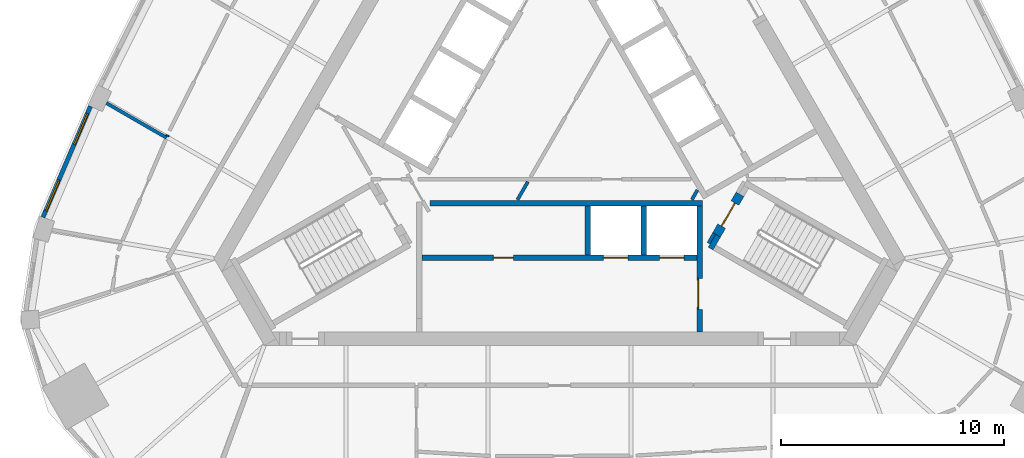
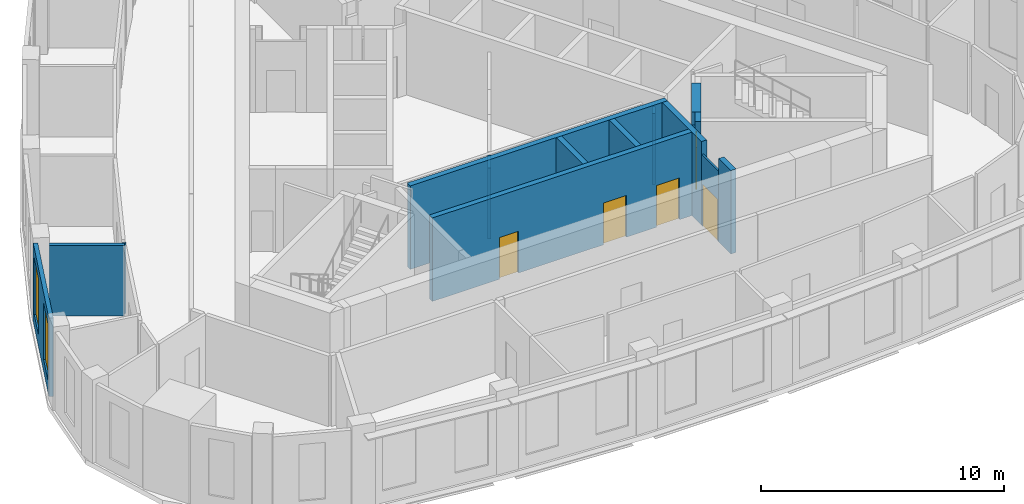
# One storey, part 4 of 10: 15 walls, 5 doors, 2 windows, 7 openings.
"""IFC4 building model written with IfcOpenShell, lengths in metres."""

from ifc_helpers import new_model, si_unit, direction, frame, frame_2d, origin, place, context, subcontext, project, spatial, rectangle, extrude, material, layer, layer_set, type_object, element, fill, save


model = new_model("IFC4")

# Units and contexts
model_context = context("Model", 3, precision=1e-05, world=origin(), true_north=direction((0.0, 1.0)))
body_context = subcontext(model_context, "Body", "Model", "MODEL_VIEW")
ifc_project = project(units=[si_unit("LENGTHUNIT", "METRE"), si_unit("AREAUNIT", "SQUARE_METRE"), si_unit("VOLUMEUNIT", "CUBIC_METRE"), si_unit("PLANEANGLEUNIT", "RADIAN"), si_unit("MASSUNIT", "GRAM", prefix="KILO")], contexts=[model_context])

# Site, building, storey
site_placement = place(None, origin())
site = spatial("IfcSite", under=ifc_project, at=site_placement, CompositionType="ELEMENT")
building_placement = place(site_placement, origin())
building = spatial("IfcBuilding", under=site, at=building_placement, Name="Mestral Congress Tower", CompositionType="ELEMENT")
storey_placement = place(building_placement, frame((0.0, 0.0, 288.0)))
storey = spatial("IfcBuildingStorey", under=building, at=storey_placement, Name="L67", CompositionType="ELEMENT", Elevation=288.0)

# Walls
ifc_material_1 = material(Name="Fire-rated board partition")
ifc_layer_1 = layer(ifc_material_1, 0.14990234375)
ifc_layer_set_1 = layer_set([ifc_layer_1], Name="Fire-rated board partition")
wall_type_1 = type_object("IfcWallType", Name="Core partition 150", PredefinedType="PARTITIONING", material=ifc_layer_set_1)
wall_1_placement = place(storey_placement, frame((-1.41845703125, -2.90673828125, 0.0), z_axis=(0.0, 0.0, 1.0), x_axis=(-0.499978056798, -0.866038072327, 0.0)))
element("IfcWall", 1, at=wall_1_placement, inside=storey, type_object=wall_type_1, Name="L67 core wall", PredefinedType="PARTITIONING", context=body_context, shape_type="SweptSolid", body=[
    extrude(rectangle(XDim=0.93701171875, YDim=0.14990234375, at=frame_2d((0.468505859375, 0.0))), origin(), (0.0, 0.0, 1.0), 3.550048828125),
])
wall_2_placement = place(storey_placement, frame((6.68798828125, -5.667236328125, 0.0), z_axis=(0.0, 0.0, 1.0), x_axis=(0.499834152157, 0.86612113491, 0.0)))
element("IfcWall", 2, at=wall_2_placement, inside=storey, type_object=wall_type_1, Name="L67 core wall", PredefinedType="PARTITIONING", context=body_context, shape_type="SweptSolid", body=[
    extrude(rectangle(XDim=0.504638671875, YDim=0.14990234375, at=frame_2d((0.25244140625, 0.0))), origin(), (0.0, 0.0, 1.0), 3.550048828125),
])
wall_3_placement = place(storey_placement, frame((5.935791015625, -3.718017578125, 0.0), z_axis=(0.0, 0.0, 1.0), x_axis=(0.499890179513, 0.866088799389, 0.0)))
element("IfcWall", 3, at=wall_3_placement, inside=storey, type_object=wall_type_1, Name="L67 core wall", PredefinedType="PARTITIONING", context=body_context, shape_type="SweptSolid", body=[
    extrude(rectangle(XDim=0.50390625, YDim=0.14990234375, at=frame_2d((0.251953125, 0.0))), origin(), (0.0, 0.0, 1.0), 3.550048828125),
])

# Wall, opening, door
ifc_layer_2 = layer(ifc_material_1, 0.090087890625)
ifc_layer_set_2 = layer_set([ifc_layer_2], Name="Fire-rated board partition")
wall_type_2 = type_object("IfcWallType", Name="Core partition 150 door-wall 90", PredefinedType="PARTITIONING", material=ifc_layer_set_2)
wall_4_placement = place(storey_placement, frame((6.219970703125, -7.23681640625, 0.0), z_axis=(0.0, 0.0, 1.0), x_axis=(0.0, -1.0, 0.0)))
wall_4 = element("IfcWall", 4, at=wall_4_placement, inside=storey, type_object=wall_type_2, Name="L67 door wall", PredefinedType="PARTITIONING", context=body_context, shape_type="SweptSolid", body=[
    extrude(rectangle(XDim=1.400146484375, YDim=0.090087890625, at=frame_2d((0.7001953125, 0.0))), origin(), (0.0, 0.0, 1.0), 3.550048828125),
])
opening_1_placement = place(wall_4_placement, frame((0.10009765625, 0.0, 0.0)))
opening_1 = element("IfcOpeningElement", 5, at=opening_1_placement, cuts=wall_4, Name="Opening LB0-WL1", PredefinedType="OPENING", context=body_context, shape_type="SweptSolid", body=[
    extrude(rectangle(XDim=1.199951171875, YDim=2.10009765625, at=frame_2d((0.60009765625, 1.050048828125))), frame((0.0, 0.054931640625, 0.0), z_axis=(0.0, -1.0, 0.0), x_axis=(1.0, 0.0, 0.0)), (0.0, 0.0, 1.0), 0.110107421875),
])
ifc_material_2 = material(Name="Fire-rated steel door set", Category="steel")
door_type_1 = type_object("IfcDoorType", Name="Core door LB 1200x2100", OperationType="SINGLE_SWING_LEFT", PredefinedType="DOOR", material=ifc_material_2)
door_1_placement = place(opening_1_placement, origin())
door_1 = element("IfcDoor", 6, at=door_1_placement, inside=storey, type_object=door_type_1, Name="Door LB0-WL1", OperationType="SINGLE_SWING_LEFT", OverallHeight=2.10009765625, OverallWidth=1.199951171875, PredefinedType="DOOR", context=body_context, shape_type="SweptSolid", body=[
    extrude(rectangle(XDim=1.199951171875, YDim=2.10009765625, at=frame_2d((0.60009765625, 1.050048828125))), frame((0.0, 0.02490234375, 0.0), z_axis=(0.0, -1.0, 0.0), x_axis=(1.0, 0.0, 0.0)), (0.0, 0.0, 1.0), 0.050048828125),
])
fill(opening_1, door_1)

# Wall, openings, windows
ifc_material_3 = material(Name="Precast concrete C40/50 with limestone facing", Category="masonry")
ifc_layer_3 = layer(ifc_material_3, 0.18994140625)
ifc_layer_set_3 = layer_set([ifc_layer_3], Name="Precast concrete C40/50 with limestone facing")
wall_type_3 = type_object("IfcWallType", Name="Facade stone wall 190", PredefinedType="SOLIDWALL", material=ifc_layer_set_3)
wall_5_placement = place(storey_placement, frame((-21.048828125, 0.477783203125, 0.0), z_axis=(0.0, 0.0, 1.0), x_axis=(-0.393347848476, -0.919389726992, 0.0)))
wall_5 = element("IfcWall", 7, at=wall_5_placement, inside=storey, type_object=wall_type_3, Name="Facade wall F2-04", PredefinedType="SOLIDWALL", context=body_context, shape_type="SweptSolid", body=[
    extrude(rectangle(XDim=5.414794921875, YDim=0.18994140625, at=frame_2d((2.70751953125, 0.0))), origin(), (0.0, 0.0, 1.0), 3.949951171875),
])
opening_2_placement = place(wall_5_placement, frame((0.357421875, 0.0, 0.60009765625)))
opening_2 = element("IfcOpeningElement", 8, at=opening_2_placement, cuts=wall_5, Name="Opening W6", PredefinedType="OPENING", context=body_context, shape_type="SweptSolid", body=[
    extrude(rectangle(XDim=1.5, YDim=2.85009765625, at=frame_2d((0.75, 1.425048828125))), frame((0.0, 0.10498046875, 0.0), z_axis=(0.0, -1.0, 0.0), x_axis=(1.0, 0.0, 0.0)), (0.0, 0.0, 1.0), 0.2099609375),
])
opening_3_placement = place(wall_5_placement, frame((3.592529296875, 0.0, 0.60009765625)))
opening_3 = element("IfcOpeningElement", 9, at=opening_3_placement, cuts=wall_5, Name="Opening W6", PredefinedType="OPENING", context=body_context, shape_type="SweptSolid", body=[
    extrude(rectangle(XDim=1.5, YDim=2.85009765625, at=frame_2d((0.75, 1.425048828125))), frame((0.0, 0.10498046875, 0.0), z_axis=(0.0, -1.0, 0.0), x_axis=(1.0, 0.0, 0.0)), (0.0, 0.0, 1.0), 0.2099609375),
])
ifc_material_4 = material(Name="Clear low-emissivity double glazing", Category="glass")
window_type = type_object("IfcWindowType", Name="Facade punched window 1500 x 2850 sill 600", PartitioningType="SINGLE_PANEL", PredefinedType="WINDOW", material=ifc_material_4)
window_1_placement = place(opening_2_placement, origin())
window_1 = element("IfcWindow", 10, at=window_1_placement, inside=storey, type_object=window_type, Name="Window F2-04a", OverallHeight=2.85009765625, OverallWidth=1.5, PartitioningType="SINGLE_PANEL", PredefinedType="WINDOW", context=body_context, shape_type="SweptSolid", body=[
    extrude(rectangle(XDim=1.5, YDim=2.85009765625, at=frame_2d((0.75, 1.425048828125))), frame((0.0, 0.044921875, 0.0), z_axis=(0.0, -1.0, 0.0), x_axis=(1.0, 0.0, 0.0)), (0.0, 0.0, 1.0), 0.06005859375),
])
fill(opening_2, window_1)
window_2_placement = place(opening_3_placement, origin())
window_2 = element("IfcWindow", 11, at=window_2_placement, inside=storey, type_object=window_type, Name="Window F2-04b", OverallHeight=2.85009765625, OverallWidth=1.5, PartitioningType="SINGLE_PANEL", PredefinedType="WINDOW", context=body_context, shape_type="SweptSolid", body=[
    extrude(rectangle(XDim=1.5, YDim=2.85009765625, at=frame_2d((0.75, 1.425048828125))), frame((0.0, 0.044921875, 0.0), z_axis=(0.0, -1.0, 0.0), x_axis=(1.0, 0.0, 0.0)), (0.0, 0.0, 1.0), 0.06005859375),
])
fill(opening_3, window_2)

# Walls
ifc_material_5 = material(Name="Plasterboard partition on steel studs", Category="steel")
ifc_layer_4 = layer(ifc_material_5, 0.14990234375)
ifc_layer_set_4 = layer_set([ifc_layer_4], Name="Plasterboard partition on steel studs")
wall_type_4 = type_object("IfcWallType", Name="Office partition 150", PredefinedType="PARTITIONING", material=ifc_layer_set_4)
wall_6_placement = place(storey_placement, frame((-17.634521484375, -0.935546875, 0.0), z_axis=(0.0, 0.0, 1.0), x_axis=(-0.866044607523, 0.499966736674, 0.0)))
element("IfcWall", 12, at=wall_6_placement, inside=storey, type_object=wall_type_4, Name="Partition", PredefinedType="PARTITIONING", context=body_context, shape_type="SweptSolid", body=[
    extrude(rectangle(XDim=3.114501953125, YDim=0.14990234375, at=frame_2d((1.55712890625, 0.0))), origin(), (0.0, 0.0, 1.0), 3.550048828125),
])
wall_7_placement = place(storey_placement, frame((-17.5810546875, -0.810302734375, 0.0), z_axis=(0.0, 0.0, 1.0), x_axis=(-0.390033474923, -0.92080067791, 0.0)))
element("IfcWall", 13, at=wall_7_placement, inside=storey, type_object=wall_type_4, Name="Partition", PredefinedType="PARTITIONING", context=body_context, shape_type="SweptSolid", body=[
    extrude(rectangle(XDim=0.060791015625, YDim=0.14990234375, at=frame_2d((0.0302734375, 0.0))), origin(), (0.0, 0.0, 1.0), 3.550048828125),
])
ifc_material_6 = material(Name="Concrete C60/75", Category="concrete")
ifc_layer_5 = layer(ifc_material_6, 0.25)
ifc_layer_set_5 = layer_set([ifc_layer_5], Name="Concrete C60/75")
wall_type_5 = type_object("IfcWallType", Name="Shaft wall RC 250", PredefinedType="SOLIDWALL", material=ifc_layer_set_5)
wall_8_placement = place(storey_placement, frame((-5.806396484375, -3.875, 0.0), z_axis=(0.0, 0.0, 1.0), x_axis=(1.0, 0.0, 0.0)))
element("IfcWall", 14, at=wall_8_placement, inside=storey, type_object=wall_type_5, Name="L67 core wall", PredefinedType="SOLIDWALL", context=body_context, shape_type="SweptSolid", body=[
    extrude(rectangle(XDim=12.2314453125, YDim=0.25, at=frame_2d((6.11572265625, 0.0))), origin(), (0.0, 0.0, 1.0), 4.199951171875),
])
wall_9_placement = place(storey_placement, frame((6.300048828125, -7.239990234375, 0.0), z_axis=(0.0, 0.0, 1.0), x_axis=(0.0, 1.0, 0.0)))
element("IfcWall", 15, at=wall_9_placement, inside=storey, type_object=wall_type_5, Name="L67 core wall", PredefinedType="SOLIDWALL", context=body_context, shape_type="SweptSolid", body=[
    extrude(rectangle(XDim=3.239990234375, YDim=0.25, at=frame_2d((1.6201171875, 0.0))), origin(), (0.0, 0.0, 1.0), 4.199951171875),
])
wall_10_placement = place(storey_placement, frame((6.300048828125, -9.64990234375, 0.0), z_axis=(0.0, 0.0, 1.0), x_axis=(0.0, 1.0, 0.0)))
element("IfcWall", 16, at=wall_10_placement, inside=storey, type_object=wall_type_5, Name="L67 core wall", PredefinedType="SOLIDWALL", context=body_context, shape_type="SweptSolid", body=[
    extrude(rectangle(XDim=1.0078125, YDim=0.25, at=frame_2d((0.50390625, 0.0))), origin(), (0.0, 0.0, 1.0), 4.199951171875),
])
for number, where, z_axis, x_axis, name in (
    (17, (3.780029296875, -4.0, 0.0), (0.0, 0.0, 1.0), (0.0, -1.0, 0.0), "L67 core wall"),
    (18, (1.260009765625, -4.0, 0.0), (0.0, 0.0, 1.0), (0.0, -1.0, 0.0), "L67 core wall"),
):
    element("IfcWall", number, at=place(storey_placement, frame(where, z_axis=z_axis, x_axis=x_axis)), inside=storey, type_object=wall_type_5, Name=name, PredefinedType="SOLIDWALL", context=body_context, shape_type="SweptSolid", body=[
        extrude(rectangle(XDim=2.199951171875, YDim=0.25, at=frame_2d((1.10009765625, 0.0))), origin(), (0.0, 0.0, 1.0), 4.199951171875),
    ])

# Wall, openings, doors
wall_11_placement = place(storey_placement, frame((-6.175048828125, -6.324951171875, 0.0), z_axis=(0.0, 0.0, 1.0), x_axis=(1.0, 0.0, 0.0)))
wall_11 = element("IfcWall", 19, at=wall_11_placement, inside=storey, type_object=wall_type_5, Name="L67 door wall", PredefinedType="SOLIDWALL", context=body_context, shape_type="SweptSolid", body=[
    extrude(rectangle(XDim=12.35009765625, YDim=0.25, at=frame_2d((6.175048828125, 0.0))), origin(), (0.0, 0.0, 1.0), 4.199951171875),
])
opening_4_placement = place(wall_11_placement, frame((3.205078125, 0.0, 0.0)))
opening_4 = element("IfcOpeningElement", 20, at=opening_4_placement, cuts=wall_11, Name="Opening SR-SOB1", PredefinedType="OPENING", context=body_context, shape_type="SweptSolid", body=[
    extrude(rectangle(XDim=0.89990234375, YDim=2.10009765625, at=frame_2d((0.449951171875, 1.050048828125))), frame((0.0, 0.135009765625, 0.0), z_axis=(0.0, -1.0, 0.0), x_axis=(1.0, 0.0, 0.0)), (0.0, 0.0, 1.0), 0.27001953125),
])
opening_5_placement = place(wall_11_placement, frame((8.14501953125, 0.0, 0.0)))
opening_5 = element("IfcOpeningElement", 21, at=opening_5_placement, cuts=wall_11, Name="Opening LD-SOB4", PredefinedType="OPENING", context=body_context, shape_type="SweptSolid", body=[
    extrude(rectangle(XDim=1.10009765625, YDim=2.10009765625, at=frame_2d((0.550048828125, 1.050048828125))), frame((0.0, 0.135009765625, 0.0), z_axis=(0.0, -1.0, 0.0), x_axis=(1.0, 0.0, 0.0)), (0.0, 0.0, 1.0), 0.27001953125),
])
opening_6_placement = place(wall_11_placement, frame((10.6650390625, 0.0, 0.0)))
opening_6 = element("IfcOpeningElement", 22, at=opening_6_placement, cuts=wall_11, Name="Opening LD-SOB5", PredefinedType="OPENING", context=body_context, shape_type="SweptSolid", body=[
    extrude(rectangle(XDim=1.10009765625, YDim=2.10009765625, at=frame_2d((0.550048828125, 1.050048828125))), frame((0.0, 0.135009765625, 0.0), z_axis=(0.0, -1.0, 0.0), x_axis=(1.0, 0.0, 0.0)), (0.0, 0.0, 1.0), 0.27001953125),
])
door_type_2 = type_object("IfcDoorType", Name="Core door LD 1100x2100", OperationType="DOUBLE_DOOR_SLIDING", PredefinedType="DOOR", material=ifc_material_2)
door_2_placement = place(opening_5_placement, origin())
door_2 = element("IfcDoor", 23, at=door_2_placement, inside=storey, type_object=door_type_2, Name="Door LD-SOB4", OperationType="DOUBLE_DOOR_SLIDING", OverallHeight=2.10009765625, OverallWidth=1.10009765625, PredefinedType="DOOR", context=body_context, shape_type="SweptSolid", body=[
    extrude(rectangle(XDim=1.10009765625, YDim=2.10009765625, at=frame_2d((0.550048828125, 1.050048828125))), frame((0.0, 0.02490234375, 0.0), z_axis=(0.0, -1.0, 0.0), x_axis=(1.0, 0.0, 0.0)), (0.0, 0.0, 1.0), 0.050048828125),
])
fill(opening_5, door_2)
door_3_placement = place(opening_6_placement, origin())
door_3 = element("IfcDoor", 24, at=door_3_placement, inside=storey, type_object=door_type_2, Name="Door LD-SOB5", OperationType="DOUBLE_DOOR_SLIDING", OverallHeight=2.10009765625, OverallWidth=1.10009765625, PredefinedType="DOOR", context=body_context, shape_type="SweptSolid", body=[
    extrude(rectangle(XDim=1.10009765625, YDim=2.10009765625, at=frame_2d((0.550048828125, 1.050048828125))), frame((0.0, 0.02490234375, 0.0), z_axis=(0.0, -1.0, 0.0), x_axis=(1.0, 0.0, 0.0)), (0.0, 0.0, 1.0), 0.050048828125),
])
fill(opening_6, door_3)
door_type_3 = type_object("IfcDoorType", Name="Core door SR 900x2100", OperationType="SINGLE_SWING_LEFT", PredefinedType="DOOR", material=ifc_material_2)
door_4_placement = place(opening_4_placement, origin())
door_4 = element("IfcDoor", 25, at=door_4_placement, inside=storey, type_object=door_type_3, Name="Door SR-SOB1", OperationType="SINGLE_SWING_LEFT", OverallHeight=2.10009765625, OverallWidth=0.89990234375, PredefinedType="DOOR", context=body_context, shape_type="SweptSolid", body=[
    extrude(rectangle(XDim=0.89990234375, YDim=2.10009765625, at=frame_2d((0.449951171875, 1.050048828125))), frame((0.0, 0.02490234375, 0.0), z_axis=(0.0, -1.0, 0.0), x_axis=(1.0, 0.0, 0.0)), (0.0, 0.0, 1.0), 0.050048828125),
])
fill(opening_4, door_4)

# Wall
ifc_layer_6 = layer(ifc_material_6, 0.25)
ifc_layer_set_6 = layer_set([ifc_layer_6], Name="Concrete C60/75")
wall_type_6 = type_object("IfcWallType", Name="Stair wall RC 250", PredefinedType="SOLIDWALL", material=ifc_layer_set_6)
wall_12_placement = place(storey_placement, frame((7.11279296875, -5.330078125, 0.0), z_axis=(0.0, 0.0, 1.0), x_axis=(-0.499965889992, -0.866045096311, 0.0)))
element("IfcWall", 26, at=wall_12_placement, inside=storey, type_object=wall_type_6, Name="L67 core wall", PredefinedType="SOLIDWALL", context=body_context, shape_type="SweptSolid", body=[
    extrude(rectangle(XDim=0.66552734375, YDim=0.25, at=frame_2d((0.332763671875, 0.0))), origin(), (0.0, 0.0, 1.0), 4.199951171875),
])

# Wall, opening, door
ifc_layer_7 = layer(ifc_material_6, 0.39990234375)
ifc_layer_set_7 = layer_set([ifc_layer_7], Name="Concrete C60/75")
wall_type_7 = type_object("IfcWallType", Name="Stair wall RC 250 door-wall 400", PredefinedType="SOLIDWALL", material=ifc_layer_set_7)
wall_13_placement = place(storey_placement, frame((7.048095703125, -5.29248046875, 0.0), z_axis=(0.0, 0.0, 1.0), x_axis=(0.49994051562, 0.866059744384, 0.0)))
wall_13 = element("IfcWall", 27, at=wall_13_placement, inside=storey, type_object=wall_type_7, Name="L67 door wall", PredefinedType="SOLIDWALL", context=body_context, shape_type="SweptSolid", body=[
    extrude(rectangle(XDim=2.099853515625, YDim=0.39990234375, at=frame_2d((1.0498046875, 0.0))), origin(), (0.0, 0.0, 1.0), 4.199951171875),
])
opening_7_placement = place(wall_13_placement, frame((0.449951171875, 0.0, 0.0)))
opening_7 = element("IfcOpeningElement", 28, at=opening_7_placement, cuts=wall_13, Name="Opening ST-D1", PredefinedType="OPENING", context=body_context, shape_type="SweptSolid", body=[
    extrude(rectangle(XDim=1.199951171875, YDim=2.10009765625, at=frame_2d((0.60009765625, 1.050048828125))), frame((0.0, 0.2099609375, 0.0), z_axis=(0.0, -1.0, 0.0), x_axis=(1.0, 0.0, 0.0)), (0.0, 0.0, 1.0), 0.419921875),
])
door_type_4 = type_object("IfcDoorType", Name="Core door ST 1200x2100", OperationType="SINGLE_SWING_LEFT", PredefinedType="DOOR", material=ifc_material_2)
door_5_placement = place(opening_7_placement, origin())
door_5 = element("IfcDoor", 29, at=door_5_placement, inside=storey, type_object=door_type_4, Name="Door ST-D1", OperationType="SINGLE_SWING_LEFT", OverallHeight=2.10009765625, OverallWidth=1.199951171875, PredefinedType="DOOR", context=body_context, shape_type="SweptSolid", body=[
    extrude(rectangle(XDim=1.199951171875, YDim=2.10009765625, at=frame_2d((0.60009765625, 1.050048828125))), frame((0.0, 0.02490234375, 0.0), z_axis=(0.0, -1.0, 0.0), x_axis=(1.0, 0.0, 0.0)), (0.0, 0.0, 1.0), 0.050048828125),
])
fill(opening_7, door_5)

save(model, "model.ifc")
